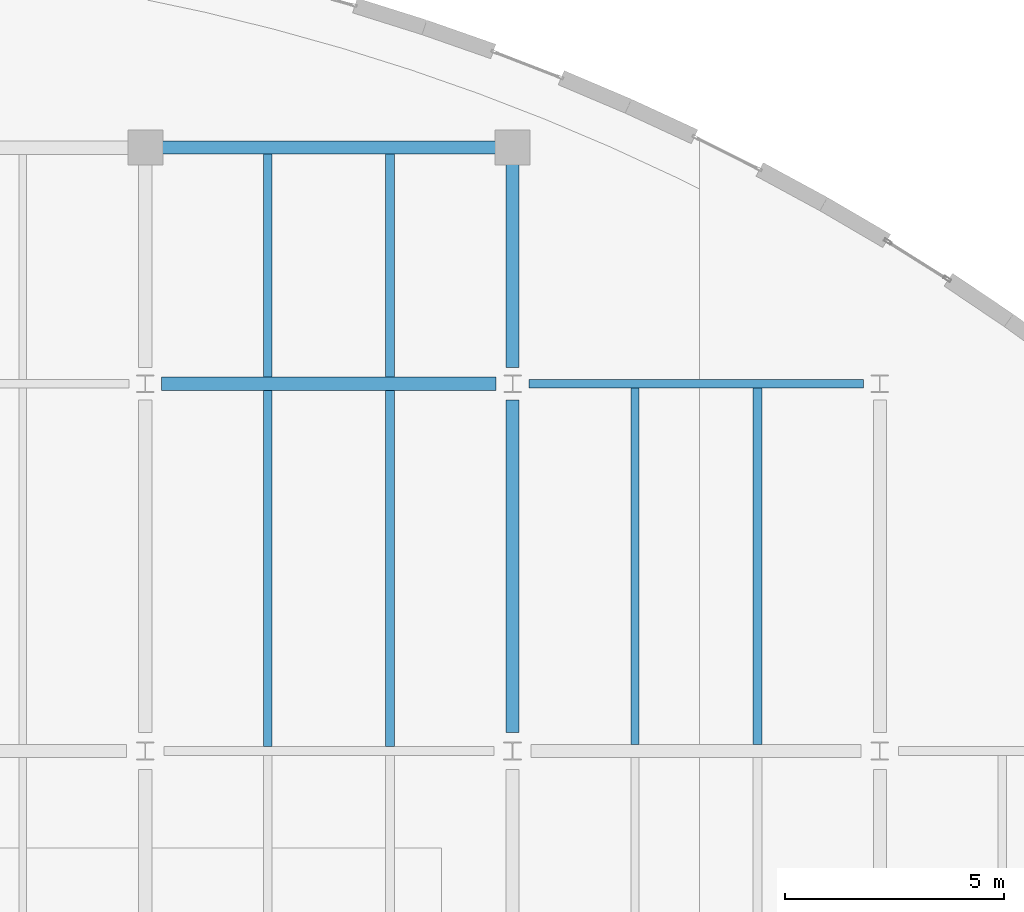
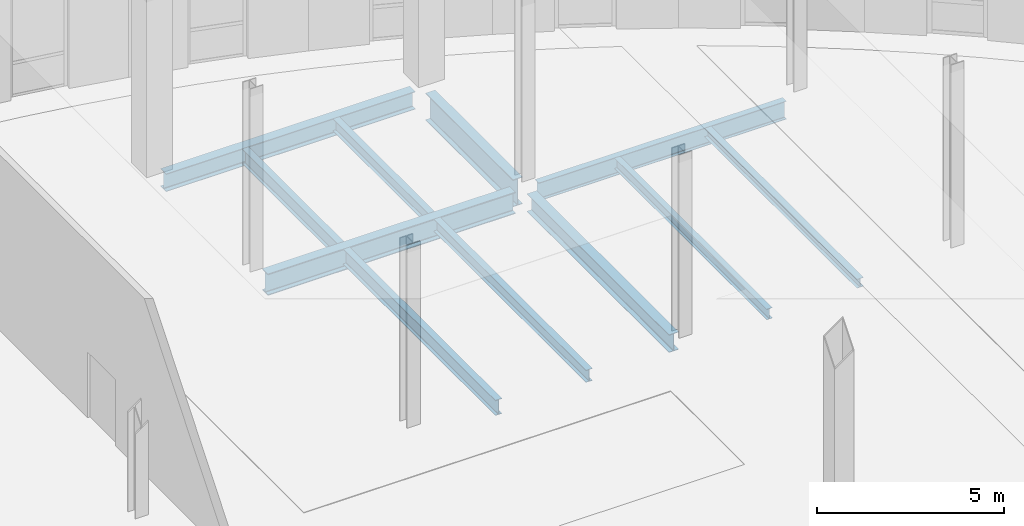
# One storey, part 35 of 85: 11 beams.
"""IFC4 building model written with IfcOpenShell, lengths in metres."""

from ifc_helpers import new_model, si_unit, direction, frame, origin, origin_2d, place, context, subcontext, project, spatial, i_section, extrude, material, material_profile, profile_set, type_object, element, save


model = new_model("IFC4")

# Units and contexts
model_context = context("Model", 3, precision=1e-05, world=origin(), true_north=direction((0.0, 1.0)))
body_context = subcontext(model_context, "Body", "Model", "MODEL_VIEW")
ifc_project = project(units=[si_unit("LENGTHUNIT", "METRE"), si_unit("AREAUNIT", "SQUARE_METRE"), si_unit("VOLUMEUNIT", "CUBIC_METRE"), si_unit("PLANEANGLEUNIT", "RADIAN"), si_unit("MASSUNIT", "GRAM", prefix="KILO"), si_unit("THERMODYNAMICTEMPERATUREUNIT", "KELVIN")], contexts=[model_context])

# Site, building, storey
site_placement = place(None, origin())
site = spatial("IfcSite", under=ifc_project, at=site_placement, CompositionType="ELEMENT")
building_placement = place(site_placement, origin())
building = spatial("IfcBuilding", under=site, at=building_placement, Name="Lustrewick Department Store", CompositionType="ELEMENT")
storey_placement = place(building_placement, origin())
storey = spatial("IfcBuildingStorey", under=building, at=storey_placement, Name="L01", CompositionType="ELEMENT", Elevation=0.0)

# Beams
ifc_material_1 = material(Name="Structural steel Q355B", Category="steel")
ifc_material_profile_1 = material_profile(ifc_material_1, i_section(OverallWidth=0.199951171875, OverallDepth=0.5, WebThickness=0.010009765625, FlangeThickness=0.01611328125, FilletRadius=0.01611328125, at=origin_2d()), Name="HN 500x200x10x16")
ifc_profile_set_1 = profile_set([ifc_material_profile_1], Name="Structural steel Q355B")
beam_type_1 = type_object("IfcBeamType", Name="B01", PredefinedType="JOIST", material=ifc_profile_set_1)
beam_1_placement = place(storey_placement, frame((128.800048828125, 92.49951171875, -0.52001953125), z_axis=(0.0, 1.0, 0.0), x_axis=(-1.0, 0.0, 0.0)))
element("IfcBeam", 1, at=beam_1_placement, inside=storey, type_object=beam_type_1, Name="L01 V4 Secondary Joist B01", PredefinedType="JOIST", context=body_context, shape_type="SweptSolid", body=[
    extrude(i_section(OverallWidth=0.199951171875, OverallDepth=0.5, WebThickness=0.010009765625, FlangeThickness=0.01611328125, FilletRadius=0.01611328125, at=origin_2d()), origin(), (0.0, 0.0, 1.0), 8.1494140625),
])
beam_2_placement = place(storey_placement, frame((128.800048828125, 100.950927734375, -0.52001953125), z_axis=(0.0, 1.0, 0.0), x_axis=(-1.0, 0.0, 0.0)))
element("IfcBeam", 2, at=beam_2_placement, inside=storey, type_object=beam_type_1, Name="L01 V4 Secondary Joist B01", PredefinedType="JOIST", context=body_context, shape_type="SweptSolid", body=[
    extrude(i_section(OverallWidth=0.199951171875, OverallDepth=0.5, WebThickness=0.010009765625, FlangeThickness=0.01611328125, FilletRadius=0.01611328125, at=origin_2d()), origin(), (0.0, 0.0, 1.0), 5.09912109375),
])
ifc_material_profile_2 = material_profile(ifc_material_1, i_section(OverallWidth=0.199951171875, OverallDepth=0.39990234375, WebThickness=0.008056640625, FlangeThickness=0.012939453125, FilletRadius=0.013916015625, at=origin_2d()), Name="HN 400x200x8x13")
ifc_profile_set_2 = profile_set([ifc_material_profile_2], Name="Structural steel Q355B")
beam_type_2 = type_object("IfcBeamType", Name="B05", PredefinedType="JOIST", material=ifc_profile_set_2)
beam_3_placement = place(storey_placement, frame((131.60009765625, 92.49951171875, -0.469970703125), z_axis=(0.0, 1.0, 0.0), x_axis=(-1.0, 0.0, 0.0)))
element("IfcBeam", 3, at=beam_3_placement, inside=storey, type_object=beam_type_2, Name="L01 V4 Secondary Joist B05", PredefinedType="JOIST", context=body_context, shape_type="SweptSolid", body=[
    extrude(i_section(OverallWidth=0.199951171875, OverallDepth=0.39990234375, WebThickness=0.008056640625, FlangeThickness=0.012939453125, FilletRadius=0.013916015625, at=origin_2d()), origin(), (0.0, 0.0, 1.0), 8.1494140625),
])
beam_4_placement = place(storey_placement, frame((131.60009765625, 100.950927734375, -0.469970703125), z_axis=(0.0, 1.0, 0.0), x_axis=(-1.0, 0.0, 0.0)))
element("IfcBeam", 4, at=beam_4_placement, inside=storey, type_object=beam_type_2, Name="L01 V4 Secondary Joist B05", PredefinedType="JOIST", context=body_context, shape_type="SweptSolid", body=[
    extrude(i_section(OverallWidth=0.199951171875, OverallDepth=0.39990234375, WebThickness=0.008056640625, FlangeThickness=0.012939453125, FilletRadius=0.013916015625, at=origin_2d()), origin(), (0.0, 0.0, 1.0), 5.09912109375),
])
ifc_material_profile_3 = material_profile(ifc_material_1, i_section(OverallWidth=0.175048828125, OverallDepth=0.35009765625, WebThickness=0.007080078125, FlangeThickness=0.010986328125, FilletRadius=0.012939453125, at=origin_2d()), Name="HN 350x175x7x11")
ifc_profile_set_3 = profile_set([ifc_material_profile_3], Name="Structural steel Q355B")
beam_type_3 = type_object("IfcBeamType", Name="B09", PredefinedType="JOIST", material=ifc_profile_set_3)
beam_5_placement = place(storey_placement, frame((137.199951171875, 92.551025390625, -0.445068359375), z_axis=(0.0, 1.0, 0.0), x_axis=(-1.0, 0.0, 0.0)))
element("IfcBeam", 5, at=beam_5_placement, inside=storey, type_object=beam_type_3, Name="L01 V4 Secondary Joist B09", PredefinedType="JOIST", context=body_context, shape_type="SweptSolid", body=[
    extrude(i_section(OverallWidth=0.175048828125, OverallDepth=0.35009765625, WebThickness=0.007080078125, FlangeThickness=0.010986328125, FilletRadius=0.012939453125, at=origin_2d()), origin(), (0.0, 0.0, 1.0), 8.1494140625),
])
ifc_material_profile_4 = material_profile(ifc_material_1, i_section(OverallWidth=0.199951171875, OverallDepth=0.2939453125, WebThickness=0.008056640625, FlangeThickness=0.011962890625, FilletRadius=0.013916015625, at=origin_2d()), Name="HM 294x200x8x12")
ifc_profile_set_4 = profile_set([ifc_material_profile_4], Name="Structural steel Q355B")
beam_type_4 = type_object("IfcBeamType", Name="B13", PredefinedType="JOIST", material=ifc_profile_set_4)
beam_6_placement = place(storey_placement, frame((140.0, 92.551025390625, -0.4169921875), z_axis=(0.0, 1.0, 0.0), x_axis=(-1.0, 0.0, 0.0)))
element("IfcBeam", 6, at=beam_6_placement, inside=storey, type_object=beam_type_4, Name="L01 V4 Secondary Joist B13", PredefinedType="JOIST", context=body_context, shape_type="SweptSolid", body=[
    extrude(i_section(OverallWidth=0.199951171875, OverallDepth=0.2939453125, WebThickness=0.008056640625, FlangeThickness=0.011962890625, FilletRadius=0.013916015625, at=origin_2d()), origin(), (0.0, 0.0, 1.0), 8.1494140625),
])
ifc_material_2 = material(Name="Structural steel Q355C", Category="steel")
ifc_material_profile_5 = material_profile(ifc_material_2, i_section(OverallWidth=0.299072265625, OverallDepth=0.889892578125, WebThickness=0.014892578125, FlangeThickness=0.02294921875, FilletRadius=0.02392578125, at=origin_2d()), Name="HN 890x299x15x23")
ifc_profile_set_5 = profile_set([ifc_material_profile_5], Name="Structural steel Q355C")
beam_type_5 = type_object("IfcBeamType", Name="G03", PredefinedType="BEAM", material=ifc_profile_set_5)
beam_7_placement = place(storey_placement, frame((134.39990234375, 101.175048828125, -0.715087890625), z_axis=(0.0, 1.0, 0.0), x_axis=(-1.0, 0.0, 0.0)))
element("IfcBeam", 7, at=beam_7_placement, inside=storey, type_object=beam_type_5, Name="L01 V4 Girder G03", PredefinedType="BEAM", context=body_context, shape_type="SweptSolid", body=[
    extrude(i_section(OverallWidth=0.299072265625, OverallDepth=0.889892578125, WebThickness=0.014892578125, FlangeThickness=0.02294921875, FilletRadius=0.02392578125, at=origin_2d()), origin(), (0.0, 0.0, 1.0), 4.675048828125),
])
ifc_material_profile_6 = material_profile(ifc_material_2, i_section(OverallWidth=0.302001953125, OverallDepth=0.7080078125, WebThickness=0.014892578125, FlangeThickness=0.028076171875, FilletRadius=0.02001953125, at=origin_2d()), Name="HN 708x302x15x28")
ifc_profile_set_6 = profile_set([ifc_material_profile_6], Name="Structural steel Q355C")
beam_type_6 = type_object("IfcBeamType", Name="G07", PredefinedType="BEAM", material=ifc_profile_set_6)
beam_8_placement = place(storey_placement, frame((126.375, 100.800048828125, -0.6240234375), z_axis=(1.0, 0.0, 0.0), x_axis=(0.0, 1.0, 0.0)))
element("IfcBeam", 8, at=beam_8_placement, inside=storey, type_object=beam_type_6, Name="L01 V4 Girder G07", PredefinedType="BEAM", context=body_context, shape_type="SweptSolid", body=[
    extrude(i_section(OverallWidth=0.302001953125, OverallDepth=0.7080078125, WebThickness=0.014892578125, FlangeThickness=0.028076171875, FilletRadius=0.02001953125, at=origin_2d()), origin(), (0.0, 0.0, 1.0), 7.64990234375),
])
ifc_material_profile_7 = material_profile(ifc_material_1, i_section(OverallWidth=0.300048828125, OverallDepth=0.58203125, WebThickness=0.011962890625, FlangeThickness=0.01708984375, FilletRadius=0.02392578125, at=origin_2d()), Name="HM 582x300x12x17")
ifc_profile_set_7 = profile_set([ifc_material_profile_7], Name="Structural steel Q355B")
beam_type_7 = type_object("IfcBeamType", Name="G12", PredefinedType="BEAM", material=ifc_profile_set_7)
beam_9_placement = place(storey_placement, frame((126.35009765625, 106.199951171875, -0.56103515625), z_axis=(1.0, 0.0, 0.0), x_axis=(0.0, 1.0, 0.0)))
element("IfcBeam", 9, at=beam_9_placement, inside=storey, type_object=beam_type_7, Name="L01 V4 Girder G12", PredefinedType="BEAM", context=body_context, shape_type="SweptSolid", body=[
    extrude(i_section(OverallWidth=0.300048828125, OverallDepth=0.58203125, WebThickness=0.011962890625, FlangeThickness=0.01708984375, FilletRadius=0.02392578125, at=origin_2d()), origin(), (0.0, 0.0, 1.0), 7.699951171875),
])
beam_10_placement = place(storey_placement, frame((134.39990234375, 92.824951171875, -0.56103515625), z_axis=(0.0, 1.0, 0.0), x_axis=(-1.0, 0.0, 0.0)))
element("IfcBeam", 10, at=beam_10_placement, inside=storey, type_object=beam_type_7, Name="L01 V4 Girder G12", PredefinedType="BEAM", context=body_context, shape_type="SweptSolid", body=[
    extrude(i_section(OverallWidth=0.300048828125, OverallDepth=0.58203125, WebThickness=0.011962890625, FlangeThickness=0.01708984375, FilletRadius=0.02392578125, at=origin_2d()), origin(), (0.0, 0.0, 1.0), 7.60009765625),
])
ifc_material_profile_8 = material_profile(ifc_material_1, i_section(OverallWidth=0.198974609375, OverallDepth=0.595947265625, WebThickness=0.010009765625, FlangeThickness=0.014892578125, FilletRadius=0.01806640625, at=origin_2d()), Name="HN 596x199x10x15")
ifc_profile_set_8 = profile_set([ifc_material_profile_8], Name="Structural steel Q355B")
beam_type_8 = type_object("IfcBeamType", Name="G15", PredefinedType="BEAM", material=ifc_profile_set_8)
beam_11_placement = place(storey_placement, frame((134.77490234375, 100.800048828125, -0.568115234375), z_axis=(1.0, 0.0, 0.0), x_axis=(0.0, 1.0, 0.0)))
element("IfcBeam", 11, at=beam_11_placement, inside=storey, type_object=beam_type_8, Name="L01 V4 Girder G15", PredefinedType="BEAM", context=body_context, shape_type="SweptSolid", body=[
    extrude(i_section(OverallWidth=0.198974609375, OverallDepth=0.595947265625, WebThickness=0.010009765625, FlangeThickness=0.014892578125, FilletRadius=0.01806640625, at=origin_2d()), origin(), (0.0, 0.0, 1.0), 7.650146484375),
])

save(model, "model.ifc")
